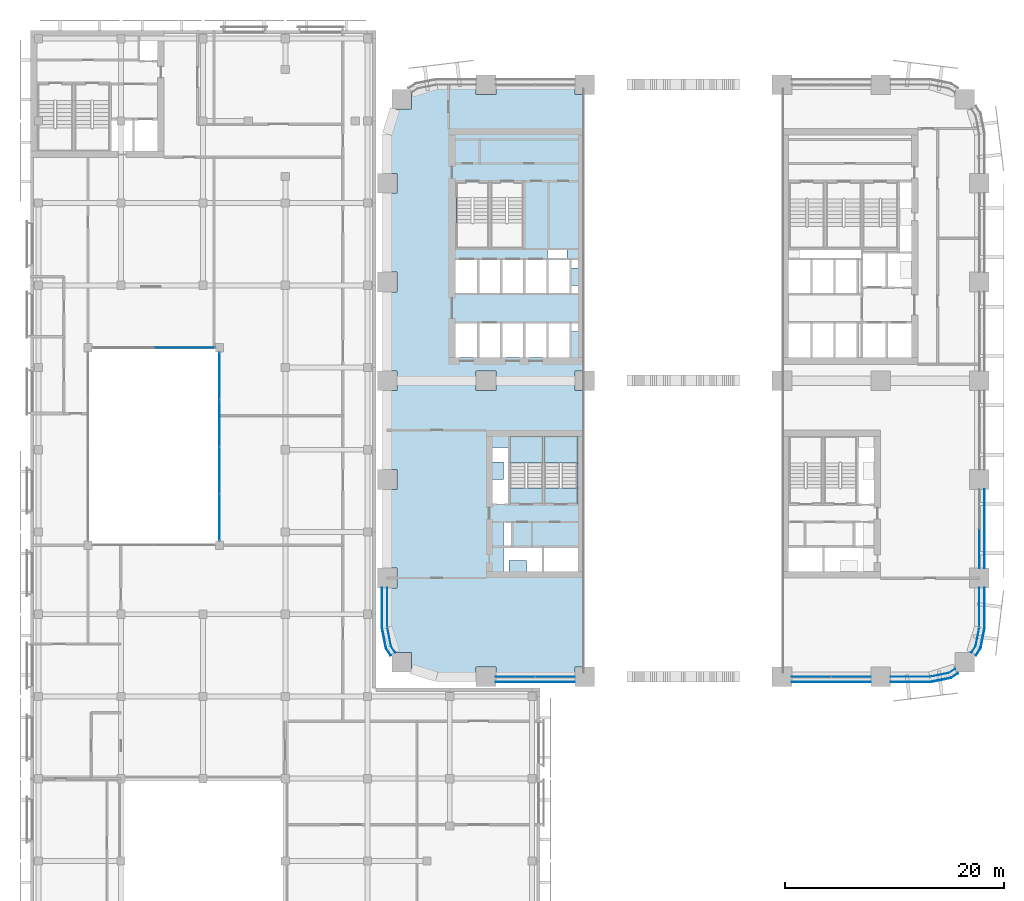
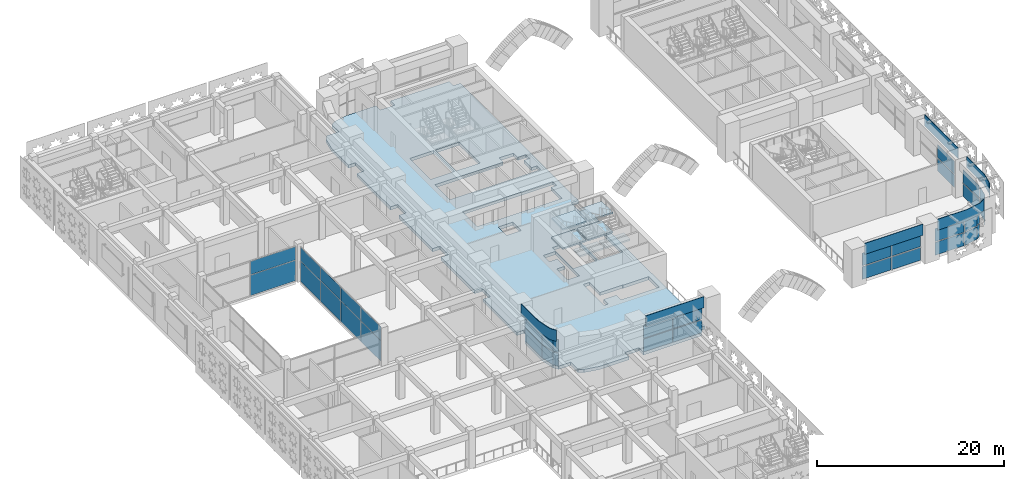
# One storey, part 11 of 40: 38 plates, 7 slabs, 10 elements without a shape of their own.
"""IFC4 building model written with IfcOpenShell, lengths in metres."""

from ifc_helpers import new_model, si_unit, direction, frame, origin, origin_2d, place, context, subcontext, project, spatial, polyline, rectangle, outline, extrude, material, layer, layer_set, type_object, element, aggregate, save


model = new_model("IFC4")

# Units and contexts
model_context = context("Model", 3, precision=1e-05, world=origin(), true_north=direction((0.0, 1.0)))
body_context = subcontext(model_context, "Body", "Model", "MODEL_VIEW")
ifc_project = project(units=[si_unit("LENGTHUNIT", "METRE"), si_unit("AREAUNIT", "SQUARE_METRE"), si_unit("VOLUMEUNIT", "CUBIC_METRE"), si_unit("PLANEANGLEUNIT", "RADIAN"), si_unit("MASSUNIT", "GRAM", prefix="KILO")], contexts=[model_context])

# Site, building, storey
site_placement = place(None, origin())
site = spatial("IfcSite", under=ifc_project, at=site_placement, CompositionType="ELEMENT")
building_placement = place(site_placement, origin())
building = spatial("IfcBuilding", under=site, at=building_placement, Name="Tessera Arch", CompositionType="ELEMENT")
storey_placement = place(building_placement, frame((0.0, 0.0, 21.0)))
storey = spatial("IfcBuildingStorey", under=building, at=storey_placement, Name="L03", CompositionType="ELEMENT", Elevation=21.0)

# Curtain wall, plates
ifc_material_1 = material(Name="CW2 curtain wall")
curtain_wall_type_1 = type_object("IfcCurtainWallType", Name="CW2 curtain wall", PredefinedType="NOTDEFINED", material=ifc_material_1)
curtain_wall_1_placement = place(storey_placement, origin())
curtain_wall_1 = element("IfcCurtainWall", 1, at=curtain_wall_1_placement, inside=storey, type_object=curtain_wall_type_1, Name="CW2 curtain wall W0.0/5 L03", PredefinedType="NOTDEFINED")
ifc_material_2 = material(Name="Clear low-e glass", Category="glass")
ifc_layer_1 = layer(ifc_material_2, 0.028076171875)
ifc_layer_set_1 = layer_set([ifc_layer_1], Name="CW2 glass panel")
plate_type_1 = type_object("IfcPlateType", Name="CW2 glass panel", PredefinedType="CURTAIN_PANEL", material=ifc_layer_set_1)
plate_1_placement = place(storey_placement, frame((0.0, 6.320068359375, 0.0), z_axis=(0.0, 0.0, 1.0), x_axis=(0.0, -1.0, 0.0)))
plate_1 = element("IfcPlate", 2, at=plate_1_placement, type_object=plate_type_1, Name="CW2 glass panel W0.0/5 1.1", PredefinedType="CURTAIN_PANEL", context=body_context, shape_type="SweptSolid", body=[
    extrude(rectangle(XDim=3.56005859375, YDim=0.028076171875, at=origin_2d()), origin(), (0.0, 0.0, 1.0), 1.675048828125),
])
plate_2_placement = place(storey_placement, origin())
plate_2 = element("IfcPlate", 3, at=plate_2_placement, type_object=plate_type_1, Name="CW2 curved glass panel W0.0/5 2.1", PredefinedType="CURTAIN_PANEL", context=body_context, shape_type="SweptSolid", body=[
    extrude(outline(polyline([(0.355712890625, 2.783447265625), (0.021484375, 4.46337890625), (-0.005859375, 4.4580078125), (0.329345703125, 2.7724609375), (0.705078125, 2.210205078125), (0.728271484375, 2.225830078125), (0.355712890625, 2.783447265625)])), origin(), (0.0, 0.0, 1.0), 1.675048828125),
])
plate_3_placement = place(storey_placement, frame((0.0, 6.320068359375, 1.77490234375), z_axis=(0.0, 0.0, 1.0), x_axis=(0.0, -1.0, 0.0)))
plate_3 = element("IfcPlate", 4, at=plate_3_placement, type_object=plate_type_1, Name="CW2 glass panel W0.0/5 1.2", PredefinedType="CURTAIN_PANEL", context=body_context, shape_type="SweptSolid", body=[
    extrude(rectangle(XDim=3.56005859375, YDim=0.028076171875, at=origin_2d()), origin(), (0.0, 0.0, 1.0), 1.675048828125),
])
plate_4_placement = place(storey_placement, frame((0.0, 0.0, 1.77490234375)))
plate_4 = element("IfcPlate", 5, at=plate_4_placement, type_object=plate_type_1, Name="CW2 curved glass panel W0.0/5 2.2", PredefinedType="CURTAIN_PANEL", context=body_context, shape_type="SweptSolid", body=[
    extrude(outline(polyline([(0.355712890625, 2.783447265625), (0.021484375, 4.46337890625), (-0.005859375, 4.4580078125), (0.329345703125, 2.7724609375), (0.705078125, 2.210205078125), (0.728271484375, 2.225830078125), (0.355712890625, 2.783447265625)])), origin(), (0.0, 0.0, 1.0), 1.675048828125),
])

curtain_wall_2_placement = place(storey_placement, origin())
curtain_wall_2 = element("IfcCurtainWall", 6, at=curtain_wall_2_placement, inside=storey, type_object=curtain_wall_type_1, Name="CW2 curtain wall S0.36/1 L03", PredefinedType="NOTDEFINED")
plate_5_placement = place(storey_placement, frame((47.679931640625, 0.0, 0.0), z_axis=(0.0, 0.0, 1.0), x_axis=(1.0, 0.0, 0.0)))
plate_5 = element("IfcPlate", 7, at=plate_5_placement, type_object=plate_type_1, Name="CW2 glass panel S0.36/1 1.1", PredefinedType="CURTAIN_PANEL", context=body_context, shape_type="SweptSolid", body=[
    extrude(rectangle(XDim=3.56005859375, YDim=0.028076171875, at=origin_2d()), origin(), (0.0, 0.0, 1.0), 1.675048828125),
])
plate_6_placement = place(storey_placement, origin())
plate_6 = element("IfcPlate", 8, at=plate_6_placement, type_object=plate_type_1, Name="CW2 curved glass panel S0.36/1 2.1", PredefinedType="CURTAIN_PANEL", context=body_context, shape_type="SweptSolid", body=[
    extrude(outline(polyline([(51.216552734375, 0.355712890625), (49.53662109375, 0.021484375), (49.5419921875, -0.005859375), (51.2275390625, 0.329345703125), (51.789794921875, 0.705078125), (51.774169921875, 0.728271484375), (51.216552734375, 0.355712890625)])), origin(), (0.0, 0.0, 1.0), 1.675048828125),
])
plate_7_placement = place(storey_placement, frame((47.679931640625, 0.0, 1.77490234375), z_axis=(0.0, 0.0, 1.0), x_axis=(1.0, 0.0, 0.0)))
plate_7 = element("IfcPlate", 9, at=plate_7_placement, type_object=plate_type_1, Name="CW2 glass panel S0.36/1 1.2", PredefinedType="CURTAIN_PANEL", context=body_context, shape_type="SweptSolid", body=[
    extrude(rectangle(XDim=3.56005859375, YDim=0.028076171875, at=origin_2d()), origin(), (0.0, 0.0, 1.0), 1.675048828125),
])
plate_8_placement = place(storey_placement, frame((0.0, 0.0, 1.77490234375)))
plate_8 = element("IfcPlate", 10, at=plate_8_placement, type_object=plate_type_1, Name="CW2 curved glass panel S0.36/1 2.2", PredefinedType="CURTAIN_PANEL", context=body_context, shape_type="SweptSolid", body=[
    extrude(outline(polyline([(51.216552734375, 0.355712890625), (49.53662109375, 0.021484375), (49.5419921875, -0.005859375), (51.2275390625, 0.329345703125), (51.789794921875, 0.705078125), (51.774169921875, 0.728271484375), (51.216552734375, 0.355712890625)])), origin(), (0.0, 0.0, 1.0), 1.675048828125),
])

curtain_wall_3_placement = place(storey_placement, origin())
curtain_wall_3 = element("IfcCurtainWall", 11, at=curtain_wall_3_placement, inside=storey, type_object=curtain_wall_type_1, Name="CW2 curtain wall E54.0/5 L03", PredefinedType="NOTDEFINED")
plate_9_placement = place(storey_placement, frame((54.0, 6.320068359375, 0.0), z_axis=(0.0, 0.0, 1.0), x_axis=(0.0, 1.0, 0.0)))
plate_9 = element("IfcPlate", 12, at=plate_9_placement, type_object=plate_type_1, Name="CW2 glass panel E54.0/5 1.1", PredefinedType="CURTAIN_PANEL", context=body_context, shape_type="SweptSolid", body=[
    extrude(rectangle(XDim=3.56005859375, YDim=0.028076171875, at=origin_2d()), origin(), (0.0, 0.0, 1.0), 1.675048828125),
])
plate_10_placement = place(storey_placement, origin())
plate_10 = element("IfcPlate", 13, at=plate_10_placement, type_object=plate_type_1, Name="CW2 curved glass panel E54.0/5 2.1", PredefinedType="CURTAIN_PANEL", context=body_context, shape_type="SweptSolid", body=[
    extrude(outline(polyline([(53.644287109375, 2.783447265625), (53.271728515625, 2.225830078125), (53.294921875, 2.210205078125), (53.670654296875, 2.7724609375), (54.005859375, 4.4580078125), (53.978515625, 4.46337890625), (53.644287109375, 2.783447265625)])), origin(), (0.0, 0.0, 1.0), 1.675048828125),
])
plate_11_placement = place(storey_placement, frame((54.0, 6.320068359375, 1.77490234375), z_axis=(0.0, 0.0, 1.0), x_axis=(0.0, 1.0, 0.0)))
plate_11 = element("IfcPlate", 14, at=plate_11_placement, type_object=plate_type_1, Name="CW2 glass panel E54.0/5 1.2", PredefinedType="CURTAIN_PANEL", context=body_context, shape_type="SweptSolid", body=[
    extrude(rectangle(XDim=3.56005859375, YDim=0.028076171875, at=origin_2d()), origin(), (0.0, 0.0, 1.0), 1.675048828125),
])
plate_12_placement = place(storey_placement, frame((0.0, 0.0, 1.77490234375)))
plate_12 = element("IfcPlate", 15, at=plate_12_placement, type_object=plate_type_1, Name="CW2 curved glass panel E54.0/5 2.2", PredefinedType="CURTAIN_PANEL", context=body_context, shape_type="SweptSolid", body=[
    extrude(outline(polyline([(53.644287109375, 2.783447265625), (53.271728515625, 2.225830078125), (53.294921875, 2.210205078125), (53.670654296875, 2.7724609375), (54.005859375, 4.4580078125), (53.978515625, 4.46337890625), (53.644287109375, 2.783447265625)])), origin(), (0.0, 0.0, 1.0), 1.675048828125),
])

# Plate
ifc_material_3 = material(Name="Pale anodised aluminium panel", Category="aluminium")
ifc_layer_2 = layer(ifc_material_3, 0.06005859375)
ifc_layer_set_2 = layer_set([ifc_layer_2], Name="CW2 spandrel panel")
plate_type_2 = type_object("IfcPlateType", Name="CW2 spandrel panel", PredefinedType="CURTAIN_PANEL", material=ifc_layer_set_2)
plate_13_placement = place(storey_placement, frame((0.0, 0.0, 3.550048828125)))
plate_13 = element("IfcPlate", 16, at=plate_13_placement, type_object=plate_type_2, Name="CW2 spandrel panel W0.0/5", PredefinedType="CURTAIN_PANEL", context=body_context, shape_type="SweptSolid", body=[
    extrude(outline(polyline([(-0.449951171875, 4.500732421875), (-0.449951171875, 8.10009765625), (-0.510009765625, 8.10009765625), (-0.510009765625, 4.499267578125), (-0.507568359375, 4.449951171875), (-0.500244140625, 4.401123046875), (-0.157470703125, 2.677734375), (-0.1455078125, 2.6298828125), (-0.128662109375, 2.582763671875), (-0.107177734375, 2.537353515625), (-0.08203125, 2.4951171875), (0.292724609375, 1.9345703125), (0.342529296875, 1.968017578125), (-0.03125, 2.52734375), (-0.05419921875, 2.565673828125), (-0.0732421875, 2.605712890625), (-0.088134765625, 2.647216796875), (-0.09912109375, 2.69091796875), (-0.441162109375, 4.411376953125), (-0.44775390625, 4.455810546875), (-0.449951171875, 4.500732421875)])), origin(), (0.0, 0.0, 1.0), 1.449951171875),
])

aggregate(curtain_wall_1, [plate_1, plate_2, plate_3, plate_4, plate_13])

plate_14_placement = place(storey_placement, frame((0.0, 0.0, 3.550048828125)))
plate_14 = element("IfcPlate", 17, at=plate_14_placement, type_object=plate_type_2, Name="CW2 spandrel panel S0.36/1", PredefinedType="CURTAIN_PANEL", context=body_context, shape_type="SweptSolid", body=[
    extrude(outline(polyline([(49.499267578125, -0.449951171875), (45.89990234375, -0.449951171875), (45.89990234375, -0.510009765625), (49.500732421875, -0.510009765625), (49.550048828125, -0.507568359375), (49.598876953125, -0.500244140625), (51.322265625, -0.157470703125), (51.3701171875, -0.1455078125), (51.417236328125, -0.128662109375), (51.462646484375, -0.107177734375), (51.5048828125, -0.08203125), (52.0654296875, 0.292724609375), (52.031982421875, 0.342529296875), (51.47265625, -0.03125), (51.434326171875, -0.05419921875), (51.394287109375, -0.0732421875), (51.352783203125, -0.088134765625), (51.30908203125, -0.09912109375), (49.588623046875, -0.441162109375), (49.544189453125, -0.44775390625), (49.499267578125, -0.449951171875)])), origin(), (0.0, 0.0, 1.0), 1.449951171875),
])

aggregate(curtain_wall_2, [plate_5, plate_6, plate_7, plate_8, plate_14])

plate_15_placement = place(storey_placement, frame((0.0, 0.0, 3.550048828125)))
plate_15 = element("IfcPlate", 18, at=plate_15_placement, type_object=plate_type_2, Name="CW2 spandrel panel E54.0/5", PredefinedType="CURTAIN_PANEL", context=body_context, shape_type="SweptSolid", body=[
    extrude(outline(polyline([(54.03125, 2.52734375), (53.657470703125, 1.968017578125), (53.707275390625, 1.9345703125), (54.08203125, 2.4951171875), (54.107177734375, 2.537353515625), (54.128662109375, 2.582763671875), (54.1455078125, 2.6298828125), (54.157470703125, 2.677734375), (54.500244140625, 4.401123046875), (54.507568359375, 4.449951171875), (54.510009765625, 4.499267578125), (54.510009765625, 8.10009765625), (54.449951171875, 8.10009765625), (54.449951171875, 4.500732421875), (54.44775390625, 4.455810546875), (54.441162109375, 4.411376953125), (54.09912109375, 2.69091796875), (54.088134765625, 2.647216796875), (54.0732421875, 2.605712890625), (54.05419921875, 2.565673828125), (54.03125, 2.52734375)])), origin(), (0.0, 0.0, 1.0), 1.449951171875),
])

aggregate(curtain_wall_3, [plate_9, plate_10, plate_11, plate_12, plate_15])

# Curtain wall, plates
ifc_material_4 = material(Name="CW6 curtain wall")
curtain_wall_type_2 = type_object("IfcCurtainWallType", Name="CW6 curtain wall", PredefinedType="NOTDEFINED", material=ifc_material_4)
curtain_wall_4_placement = place(storey_placement, origin())
curtain_wall_4 = element("IfcCurtainWall", 19, at=curtain_wall_4_placement, inside=storey, type_object=curtain_wall_type_2, Name="CW6 curtain wall S0.0/1 L03", PredefinedType="NOTDEFINED")
ifc_material_5 = material(Name="Clear low-e glass", Category="glass")
ifc_layer_3 = layer(ifc_material_5, 0.028076171875)
ifc_layer_set_3 = layer_set([ifc_layer_3], Name="CW6 glass panel")
plate_type_3 = type_object("IfcPlateType", Name="CW6 glass panel", PredefinedType="CURTAIN_PANEL", material=ifc_layer_set_3)
plate_16_placement = place(storey_placement, frame((11.6826171875, 0.0, 0.0), z_axis=(0.0, 0.0, 1.0), x_axis=(1.0, 0.0, 0.0)))
plate_16 = element("IfcPlate", 20, at=plate_16_placement, type_object=plate_type_3, Name="CW6 glass panel S0.0/1 1.1.1", PredefinedType="CURTAIN_PANEL", context=body_context, shape_type="SweptSolid", body=[
    extrude(rectangle(XDim=3.56494140625, YDim=0.028076171875, at=origin_2d()), origin(), (0.0, 0.0, 1.0), 1.655029296875),
])
plate_17_placement = place(storey_placement, frame((11.6826171875, 0.0, 1.77490234375), z_axis=(0.0, 0.0, 1.0), x_axis=(1.0, 0.0, 0.0)))
plate_17 = element("IfcPlate", 21, at=plate_17_placement, type_object=plate_type_3, Name="CW6 glass panel S0.0/1 1.1.2", PredefinedType="CURTAIN_PANEL", context=body_context, shape_type="SweptSolid", body=[
    extrude(rectangle(XDim=3.56494140625, YDim=0.028076171875, at=origin_2d()), origin(), (0.0, 0.0, 1.0), 1.655029296875),
])
plate_18_placement = place(storey_placement, frame((15.3173828125, 0.0, 0.0), z_axis=(0.0, 0.0, 1.0), x_axis=(1.0, 0.0, 0.0)))
plate_18 = element("IfcPlate", 22, at=plate_18_placement, type_object=plate_type_3, Name="CW6 glass panel S0.0/1 1.2.1", PredefinedType="CURTAIN_PANEL", context=body_context, shape_type="SweptSolid", body=[
    extrude(rectangle(XDim=3.56494140625, YDim=0.028076171875, at=origin_2d()), origin(), (0.0, 0.0, 1.0), 1.655029296875),
])
plate_19_placement = place(storey_placement, frame((15.3173828125, 0.0, 1.77490234375), z_axis=(0.0, 0.0, 1.0), x_axis=(1.0, 0.0, 0.0)))
plate_19 = element("IfcPlate", 23, at=plate_19_placement, type_object=plate_type_3, Name="CW6 glass panel S0.0/1 1.2.2", PredefinedType="CURTAIN_PANEL", context=body_context, shape_type="SweptSolid", body=[
    extrude(rectangle(XDim=3.56494140625, YDim=0.028076171875, at=origin_2d()), origin(), (0.0, 0.0, 1.0), 1.655029296875),
])

curtain_wall_5_placement = place(storey_placement, origin())
curtain_wall_5 = element("IfcCurtainWall", 24, at=curtain_wall_5_placement, inside=storey, type_object=curtain_wall_type_2, Name="CW6 curtain wall E54.0/0 L03", PredefinedType="NOTDEFINED")
plate_20_placement = place(storey_placement, frame((54.0, 11.6826171875, 0.0), z_axis=(0.0, 0.0, 1.0), x_axis=(0.0, 1.0, 0.0)))
plate_20 = element("IfcPlate", 25, at=plate_20_placement, type_object=plate_type_3, Name="CW6 glass panel E54.0/0 1.1.1", PredefinedType="CURTAIN_PANEL", context=body_context, shape_type="SweptSolid", body=[
    extrude(rectangle(XDim=3.56494140625, YDim=0.028076171875, at=origin_2d()), origin(), (0.0, 0.0, 1.0), 1.655029296875),
])
plate_21_placement = place(storey_placement, frame((54.0, 11.6826171875, 1.77490234375), z_axis=(0.0, 0.0, 1.0), x_axis=(0.0, 1.0, 0.0)))
plate_21 = element("IfcPlate", 26, at=plate_21_placement, type_object=plate_type_3, Name="CW6 glass panel E54.0/0 1.1.2", PredefinedType="CURTAIN_PANEL", context=body_context, shape_type="SweptSolid", body=[
    extrude(rectangle(XDim=3.56494140625, YDim=0.028076171875, at=origin_2d()), origin(), (0.0, 0.0, 1.0), 1.655029296875),
])

curtain_wall_6_placement = place(storey_placement, origin())
curtain_wall_6 = element("IfcCurtainWall", 27, at=curtain_wall_6_placement, inside=storey, type_object=curtain_wall_type_2, Name="CW6 curtain wall S0.36/0 L03", PredefinedType="NOTDEFINED")
plate_22_placement = place(storey_placement, frame((38.6826171875, 0.0, 0.0), z_axis=(0.0, 0.0, 1.0), x_axis=(1.0, 0.0, 0.0)))
plate_22 = element("IfcPlate", 28, at=plate_22_placement, type_object=plate_type_3, Name="CW6 glass panel S0.36/0 1.1.1", PredefinedType="CURTAIN_PANEL", context=body_context, shape_type="SweptSolid", body=[
    extrude(rectangle(XDim=3.56494140625, YDim=0.028076171875, at=origin_2d()), origin(), (0.0, 0.0, 1.0), 1.655029296875),
])
plate_23_placement = place(storey_placement, frame((38.6826171875, 0.0, 1.77490234375), z_axis=(0.0, 0.0, 1.0), x_axis=(1.0, 0.0, 0.0)))
plate_23 = element("IfcPlate", 29, at=plate_23_placement, type_object=plate_type_3, Name="CW6 glass panel S0.36/0 1.1.2", PredefinedType="CURTAIN_PANEL", context=body_context, shape_type="SweptSolid", body=[
    extrude(rectangle(XDim=3.56494140625, YDim=0.028076171875, at=origin_2d()), origin(), (0.0, 0.0, 1.0), 1.655029296875),
])
plate_24_placement = place(storey_placement, frame((42.3173828125, 0.0, 0.0), z_axis=(0.0, 0.0, 1.0), x_axis=(1.0, 0.0, 0.0)))
plate_24 = element("IfcPlate", 30, at=plate_24_placement, type_object=plate_type_3, Name="CW6 glass panel S0.36/0 1.2.1", PredefinedType="CURTAIN_PANEL", context=body_context, shape_type="SweptSolid", body=[
    extrude(rectangle(XDim=3.56494140625, YDim=0.028076171875, at=origin_2d()), origin(), (0.0, 0.0, 1.0), 1.655029296875),
])
plate_25_placement = place(storey_placement, frame((42.3173828125, 0.0, 1.77490234375), z_axis=(0.0, 0.0, 1.0), x_axis=(1.0, 0.0, 0.0)))
plate_25 = element("IfcPlate", 31, at=plate_25_placement, type_object=plate_type_3, Name="CW6 glass panel S0.36/0 1.2.2", PredefinedType="CURTAIN_PANEL", context=body_context, shape_type="SweptSolid", body=[
    extrude(rectangle(XDim=3.56494140625, YDim=0.028076171875, at=origin_2d()), origin(), (0.0, 0.0, 1.0), 1.655029296875),
])

# Plate
ifc_material_6 = material(Name="Pale anodised aluminium panel", Category="aluminium")
ifc_layer_4 = layer(ifc_material_6, 0.06005859375)
ifc_layer_set_4 = layer_set([ifc_layer_4], Name="CW6 spandrel panel")
plate_type_4 = type_object("IfcPlateType", Name="CW6 spandrel panel", PredefinedType="CURTAIN_PANEL", material=ifc_layer_set_4)
plate_26_placement = place(storey_placement, frame((13.5, -0.47998046875, 3.5498046875), z_axis=(0.0, 0.0, 1.0), x_axis=(1.0, 0.0, 0.0)))
plate_26 = element("IfcPlate", 32, at=plate_26_placement, type_object=plate_type_4, Name="CW6 spandrel panel S0.0/1", PredefinedType="CURTAIN_PANEL", context=body_context, shape_type="SweptSolid", body=[
    extrude(rectangle(XDim=7.199951171875, YDim=0.06005859375, at=origin_2d()), origin(), (0.0, 0.0, 1.0), 1.449951171875),
])

aggregate(curtain_wall_4, [plate_16, plate_17, plate_18, plate_19, plate_26])

plate_27_placement = place(storey_placement, frame((54.47998046875, 13.5, 3.5498046875), z_axis=(0.0, 0.0, 1.0), x_axis=(0.0, 1.0, 0.0)))
plate_27 = element("IfcPlate", 33, at=plate_27_placement, type_object=plate_type_4, Name="CW6 spandrel panel E54.0/0", PredefinedType="CURTAIN_PANEL", context=body_context, shape_type="SweptSolid", body=[
    extrude(rectangle(XDim=7.199951171875, YDim=0.06005859375, at=origin_2d()), origin(), (0.0, 0.0, 1.0), 1.449951171875),
])

aggregate(curtain_wall_5, [plate_20, plate_21, plate_27])

plate_28_placement = place(storey_placement, frame((40.5, -0.47998046875, 3.5498046875), z_axis=(0.0, 0.0, 1.0), x_axis=(1.0, 0.0, 0.0)))
plate_28 = element("IfcPlate", 34, at=plate_28_placement, type_object=plate_type_4, Name="CW6 spandrel panel S0.36/0", PredefinedType="CURTAIN_PANEL", context=body_context, shape_type="SweptSolid", body=[
    extrude(rectangle(XDim=7.199951171875, YDim=0.06005859375, at=origin_2d()), origin(), (0.0, 0.0, 1.0), 1.449951171875),
])

aggregate(curtain_wall_6, [plate_22, plate_23, plate_24, plate_25, plate_28])

# Curtain wall, plates
ifc_material_7 = material(Name="Aluminium and clear glass", Category="aluminium")
ifc_layer_5 = layer(ifc_material_7, 0.1201171875)
ifc_layer_set_5 = layer_set([ifc_layer_5], Name="Courtyard curtain wall")
curtain_wall_type_3 = type_object("IfcCurtainWallType", Name="Courtyard curtain wall", PredefinedType="NOTDEFINED", material=ifc_layer_set_5)
curtain_wall_7_placement = place(storey_placement, origin())
curtain_wall_7 = element("IfcCurtainWall", 35, at=curtain_wall_7_placement, inside=storey, type_object=curtain_wall_type_3, Name="Courtyard curtain wall L03 2", PredefinedType="NOTDEFINED")
ifc_material_8 = material(Name="Clear low-e laminated glass", Category="glass")
ifc_layer_6 = layer(ifc_material_8, 0.028076171875)
ifc_layer_set_6 = layer_set([ifc_layer_6], Name="Courtyard glass panel")
plate_type_5 = type_object("IfcPlateType", Name="Courtyard glass panel", PredefinedType="CURTAIN_PANEL", material=ifc_layer_set_6)
plate_29_placement = place(storey_placement, frame((-15.300048828125, 14.546142578125, 0.06005859375), z_axis=(0.0, 0.0, 1.0), x_axis=(0.0, 1.0, 0.0)))
plate_29 = element("IfcPlate", 36, at=plate_29_placement, type_object=plate_type_5, Name="MCW1 panel 1.1", PredefinedType="CURTAIN_PANEL", context=body_context, shape_type="SweptSolid", body=[
    extrude(rectangle(XDim=4.222412109375, YDim=0.028076171875, at=origin_2d()), origin(), (0.0, 0.0, 1.0), 2.6640625),
])
plate_30_placement = place(storey_placement, frame((-15.300048828125, 14.546142578125, 2.783935546875), z_axis=(0.0, 0.0, 1.0), x_axis=(0.0, 1.0, 0.0)))
plate_30 = element("IfcPlate", 37, at=plate_30_placement, type_object=plate_type_5, Name="MCW1 panel 1.2", PredefinedType="CURTAIN_PANEL", context=body_context, shape_type="SweptSolid", body=[
    extrude(rectangle(XDim=4.222412109375, YDim=0.028076171875, at=origin_2d()), origin(), (0.0, 0.0, 1.0), 1.74609375),
])
plate_31_placement = place(storey_placement, frame((-15.300048828125, 18.84375, 0.06005859375), z_axis=(0.0, 0.0, 1.0), x_axis=(0.0, 1.0, 0.0)))
plate_31 = element("IfcPlate", 38, at=plate_31_placement, type_object=plate_type_5, Name="MCW1 panel 2.1", PredefinedType="CURTAIN_PANEL", context=body_context, shape_type="SweptSolid", body=[
    extrude(rectangle(XDim=4.25244140625, YDim=0.028076171875, at=origin_2d()), origin(), (0.0, 0.0, 1.0), 2.6640625),
])
plate_32_placement = place(storey_placement, frame((-15.300048828125, 18.84375, 2.783935546875), z_axis=(0.0, 0.0, 1.0), x_axis=(0.0, 1.0, 0.0)))
plate_32 = element("IfcPlate", 39, at=plate_32_placement, type_object=plate_type_5, Name="MCW1 panel 2.2", PredefinedType="CURTAIN_PANEL", context=body_context, shape_type="SweptSolid", body=[
    extrude(rectangle(XDim=4.25244140625, YDim=0.028076171875, at=origin_2d()), origin(), (0.0, 0.0, 1.0), 1.74609375),
])
plate_33_placement = place(storey_placement, frame((-15.300048828125, 23.15625, 0.06005859375), z_axis=(0.0, 0.0, 1.0), x_axis=(0.0, 1.0, 0.0)))
plate_33 = element("IfcPlate", 40, at=plate_33_placement, type_object=plate_type_5, Name="MCW1 panel 3.1", PredefinedType="CURTAIN_PANEL", context=body_context, shape_type="SweptSolid", body=[
    extrude(rectangle(XDim=4.25244140625, YDim=0.028076171875, at=origin_2d()), origin(), (0.0, 0.0, 1.0), 2.6640625),
])
plate_34_placement = place(storey_placement, frame((-15.300048828125, 23.15625, 2.783935546875), z_axis=(0.0, 0.0, 1.0), x_axis=(0.0, 1.0, 0.0)))
plate_34 = element("IfcPlate", 41, at=plate_34_placement, type_object=plate_type_5, Name="MCW1 panel 3.2", PredefinedType="CURTAIN_PANEL", context=body_context, shape_type="SweptSolid", body=[
    extrude(rectangle(XDim=4.25244140625, YDim=0.028076171875, at=origin_2d()), origin(), (0.0, 0.0, 1.0), 1.74609375),
])
plate_35_placement = place(storey_placement, frame((-15.300048828125, 27.453857421875, 0.06005859375), z_axis=(0.0, 0.0, 1.0), x_axis=(0.0, 1.0, 0.0)))
plate_35 = element("IfcPlate", 42, at=plate_35_placement, type_object=plate_type_5, Name="MCW1 panel 4.1", PredefinedType="CURTAIN_PANEL", context=body_context, shape_type="SweptSolid", body=[
    extrude(rectangle(XDim=4.222412109375, YDim=0.028076171875, at=origin_2d()), origin(), (0.0, 0.0, 1.0), 2.6640625),
])
plate_36_placement = place(storey_placement, frame((-15.300048828125, 27.453857421875, 2.783935546875), z_axis=(0.0, 0.0, 1.0), x_axis=(0.0, 1.0, 0.0)))
plate_36 = element("IfcPlate", 43, at=plate_36_placement, type_object=plate_type_5, Name="MCW1 panel 4.2", PredefinedType="CURTAIN_PANEL", context=body_context, shape_type="SweptSolid", body=[
    extrude(rectangle(XDim=4.222412109375, YDim=0.028076171875, at=origin_2d()), origin(), (0.0, 0.0, 1.0), 1.74609375),
])
aggregate(curtain_wall_7, [plate_29, plate_30, plate_31, plate_32, plate_33, plate_34, plate_35, plate_36])

curtain_wall_8_placement = place(storey_placement, origin())
curtain_wall_8 = element("IfcCurtainWall", 44, at=curtain_wall_8_placement, inside=storey, type_object=curtain_wall_type_3, Name="Courtyard curtain wall L03 3", PredefinedType="NOTDEFINED")
plate_37_placement = place(storey_placement, frame((-18.50244140625, 30.0, 0.06005859375), z_axis=(0.0, 0.0, 1.0), x_axis=(-1.0, 0.0, 0.0)))
plate_37 = element("IfcPlate", 45, at=plate_37_placement, type_object=plate_type_5, Name="MCW1 panel 1.1", PredefinedType="CURTAIN_PANEL", context=body_context, shape_type="SweptSolid", body=[
    extrude(rectangle(XDim=5.534912109375, YDim=0.028076171875, at=origin_2d()), origin(), (0.0, 0.0, 1.0), 2.6640625),
])
plate_38_placement = place(storey_placement, frame((-18.50244140625, 30.0, 2.783935546875), z_axis=(0.0, 0.0, 1.0), x_axis=(-1.0, 0.0, 0.0)))
plate_38 = element("IfcPlate", 46, at=plate_38_placement, type_object=plate_type_5, Name="MCW1 panel 1.2", PredefinedType="CURTAIN_PANEL", context=body_context, shape_type="SweptSolid", body=[
    extrude(rectangle(XDim=5.534912109375, YDim=0.028076171875, at=origin_2d()), origin(), (0.0, 0.0, 1.0), 1.74609375),
])
aggregate(curtain_wall_8, [plate_37, plate_38])

# Slab
ifc_material_9 = material(Name="Concrete C40/50", Category="concrete")
ifc_layer_7 = layer(ifc_material_9, 0.409912109375)
ifc_layer_set_7 = layer_set([ifc_layer_7], Name="Floor slab 410 Concrete C40/50")
slab_type_1 = type_object("IfcSlabType", Name="Floor slab 410 Concrete C40/50", PredefinedType="FLOOR", material=ifc_layer_set_7)
slab_1_placement = place(storey_placement, frame((0.0, 0.0, -0.409912109375)))
element("IfcSlab", 47, at=slab_1_placement, inside=storey, type_object=slab_type_1, Name="Floor slab L03 1", PredefinedType="FLOOR", context=body_context, shape_type="SweptSolid", body=[
    extrude(outline(polyline([(2.77783203125, 0.342529296875), (2.218017578125, 0.716552734375), (2.218017578125, 2.218017578125), (0.716552734375, 2.218017578125), (0.342529296875, 2.77783203125), (0.0, 4.5), (0.0, 8.10009765625), (0.89990234375, 8.10009765625), (0.89990234375, 9.89990234375), (0.0, 9.89990234375), (0.0, 17.10009765625), (0.89990234375, 17.10009765625), (0.89990234375, 18.89990234375), (0.0, 18.89990234375), (0.0, 26.10009765625), (0.89990234375, 26.10009765625), (0.89990234375, 27.89990234375), (0.0, 27.89990234375), (0.0, 35.10009765625), (0.89990234375, 35.10009765625), (0.89990234375, 36.89990234375), (0.0, 36.89990234375), (0.0, 44.10009765625), (0.89990234375, 44.10009765625), (0.89990234375, 45.89990234375), (0.0, 45.89990234375), (0.0, 49.5), (0.342529296875, 51.22216796875), (0.716552734375, 51.781982421875), (2.218017578125, 51.781982421875), (2.218017578125, 53.283447265625), (2.77783203125, 53.657470703125), (4.5, 54.0), (8.10009765625, 54.0), (8.10009765625, 53.10009765625), (9.89990234375, 53.10009765625), (9.89990234375, 54.0), (17.10009765625, 54.0), (17.10009765625, 53.10009765625), (18.0, 53.10009765625), (18.0, 27.89990234375), (17.10009765625, 27.89990234375), (17.10009765625, 26.10009765625), (18.0, 26.10009765625), (18.0, 0.89990234375), (17.10009765625, 0.89990234375), (17.10009765625, 0.0), (9.89990234375, 0.0), (9.89990234375, 0.89990234375), (8.10009765625, 0.89990234375), (8.10009765625, 0.0), (4.5, 0.0), (2.77783203125, 0.342529296875)]), holes=[polyline([(8.10009765625, 27.89990234375), (8.10009765625, 26.10009765625), (9.89990234375, 26.10009765625), (9.89990234375, 27.89990234375), (8.10009765625, 27.89990234375)]), polyline([(6.199951171875, 32.300048828125), (6.199951171875, 29.10009765625), (8.300048828125, 29.10009765625), (10.39990234375, 29.10009765625), (12.5, 29.10009765625), (14.60009765625, 29.10009765625), (16.699951171875, 29.10009765625), (16.699951171875, 31.5), (17.39990234375, 31.5), (17.39990234375, 32.300048828125), (16.699951171875, 32.300048828125), (14.60009765625, 32.300048828125), (12.5, 32.300048828125), (10.39990234375, 32.300048828125), (8.300048828125, 32.300048828125), (6.199951171875, 32.300048828125)]), polyline([(10.39990234375, 34.89990234375), (12.5, 34.89990234375), (14.60009765625, 34.89990234375), (16.699951171875, 34.89990234375), (17.39990234375, 34.89990234375), (17.39990234375, 35.699951171875), (16.699951171875, 35.699951171875), (16.699951171875, 37.300048828125), (17.39990234375, 37.300048828125), (17.39990234375, 38.10009765625), (16.699951171875, 38.10009765625), (16.39990234375, 38.10009765625), (16.39990234375, 39.0), (14.60009765625, 39.0), (14.60009765625, 38.10009765625), (12.5, 38.10009765625), (10.39990234375, 38.10009765625), (8.300048828125, 38.10009765625), (6.199951171875, 38.10009765625), (6.199951171875, 34.89990234375), (8.300048828125, 34.89990234375), (10.39990234375, 34.89990234375)]), polyline([(7.85009765625, 43.68994140625), (7.85009765625, 43.699951171875), (7.699951171875, 43.699951171875), (7.699951171875, 43.68994140625), (6.300048828125, 43.68994140625), (6.300048828125, 39.199951171875), (9.25, 39.199951171875), (9.25, 43.68994140625), (7.85009765625, 43.68994140625)]), polyline([(12.699951171875, 10.60009765625), (12.699951171875, 9.60009765625), (14.199951171875, 9.60009765625), (17.39990234375, 9.60009765625), (17.39990234375, 11.85009765625), (14.199951171875, 11.85009765625), (14.199951171875, 11.89990234375), (11.39990234375, 11.89990234375), (11.39990234375, 14.10009765625), (10.60009765625, 14.10009765625), (10.60009765625, 11.89990234375), (10.60009765625, 9.60009765625), (11.10009765625, 9.60009765625), (11.10009765625, 10.60009765625), (12.699951171875, 10.60009765625)]), polyline([(9.60009765625, 20.89990234375), (9.60009765625, 19.60009765625), (10.60009765625, 19.60009765625), (10.60009765625, 18.0), (9.60009765625, 18.0), (9.60009765625, 15.699951171875), (11.10009765625, 15.699951171875), (11.10009765625, 20.89990234375), (9.60009765625, 20.89990234375)]), polyline([(12.60009765625, 17.2099609375), (12.60009765625, 17.199951171875), (12.75, 17.199951171875), (12.75, 17.2099609375), (14.14990234375, 17.2099609375), (14.14990234375, 21.699951171875), (11.199951171875, 21.699951171875), (11.199951171875, 17.2099609375), (12.60009765625, 17.2099609375)]), polyline([(15.75, 17.2099609375), (15.75, 17.199951171875), (15.89990234375, 17.199951171875), (15.89990234375, 17.2099609375), (17.300048828125, 17.2099609375), (17.300048828125, 21.699951171875), (14.35009765625, 21.699951171875), (14.35009765625, 17.2099609375), (15.75, 17.2099609375)]), polyline([(11.0, 43.699951171875), (10.85009765625, 43.699951171875), (10.85009765625, 43.68994140625), (9.449951171875, 43.68994140625), (9.449951171875, 39.199951171875), (12.39990234375, 39.199951171875), (12.39990234375, 43.68994140625), (11.0, 43.68994140625), (11.0, 43.699951171875)])]), origin(), (0.0, 0.0, 1.0), 0.409912109375),
])

# Stair, slabs
ifc_material_10 = material(Name="Concrete C40/50", Category="concrete")
stair_type = type_object("IfcStairType", Name="Dogleg stair 1400", PredefinedType="HALF_TURN_STAIR", material=ifc_material_10)
stair_1_placement = place(storey_placement, origin())
stair_1 = element("IfcStair", 48, at=stair_1_placement, inside=storey, type_object=stair_type, Name="L03 S4a", PredefinedType="HALF_TURN_STAIR")
ifc_material_11 = material(Name="Concrete C40/50", Category="concrete")
ifc_layer_8 = layer(ifc_material_11, 0.300048828125)
ifc_layer_set_8 = layer_set([ifc_layer_8], Name="Stair landing 300")
slab_type_2 = type_object("IfcSlabType", Name="Stair landing 300", PredefinedType="LANDING", material=ifc_layer_set_8)
slab_2_placement = place(storey_placement, frame((0.0, 0.0, 1.050048828125)))
slab_2 = element("IfcSlab", 49, at=slab_2_placement, type_object=slab_type_2, Name="S4a landing 1", PredefinedType="LANDING", context=body_context, shape_type="SweptSolid", body=[
    extrude(outline(polyline([(17.39990234375, 19.510009765625), (17.39990234375, 21.89990234375), (14.35009765625, 21.89990234375), (14.35009765625, 19.510009765625), (17.39990234375, 19.510009765625)])), origin(), (0.0, 0.0, 1.0), 0.199951171875),
])
slab_3_placement = place(storey_placement, frame((0.0, 0.0, 2.300048828125)))
slab_3 = element("IfcSlab", 50, at=slab_3_placement, type_object=slab_type_2, Name="S4a landing 2", PredefinedType="LANDING", context=body_context, shape_type="SweptSolid", body=[
    extrude(outline(polyline([(17.39990234375, 15.800048828125), (17.39990234375, 17.199951171875), (14.35009765625, 17.199951171875), (14.35009765625, 15.800048828125), (17.39990234375, 15.800048828125)])), origin(), (0.0, 0.0, 1.0), 0.199951171875),
])
slab_4_placement = place(storey_placement, frame((0.0, 0.0, 3.550048828125)))
slab_4 = element("IfcSlab", 51, at=slab_4_placement, type_object=slab_type_2, Name="S4a landing 3", PredefinedType="LANDING", context=body_context, shape_type="SweptSolid", body=[
    extrude(outline(polyline([(17.39990234375, 19.510009765625), (17.39990234375, 21.89990234375), (14.35009765625, 21.89990234375), (14.35009765625, 19.510009765625), (17.39990234375, 19.510009765625)])), origin(), (0.0, 0.0, 1.0), 0.199951171875),
])
aggregate(stair_1, [slab_2, slab_3, slab_4])

stair_2_placement = place(storey_placement, origin())
stair_2 = element("IfcStair", 52, at=stair_2_placement, inside=storey, type_object=stair_type, Name="L03 S4b", PredefinedType="HALF_TURN_STAIR")
slab_5_placement = place(storey_placement, frame((0.0, 0.0, 1.050048828125)))
slab_5 = element("IfcSlab", 53, at=slab_5_placement, type_object=slab_type_2, Name="S4b landing 1", PredefinedType="LANDING", context=body_context, shape_type="SweptSolid", body=[
    extrude(outline(polyline([(14.14990234375, 19.510009765625), (14.14990234375, 21.89990234375), (11.199951171875, 21.89990234375), (11.199951171875, 19.510009765625), (14.14990234375, 19.510009765625)])), origin(), (0.0, 0.0, 1.0), 0.199951171875),
])
slab_6_placement = place(storey_placement, frame((0.0, 0.0, 2.300048828125)))
slab_6 = element("IfcSlab", 54, at=slab_6_placement, type_object=slab_type_2, Name="S4b landing 2", PredefinedType="LANDING", context=body_context, shape_type="SweptSolid", body=[
    extrude(outline(polyline([(14.14990234375, 15.800048828125), (14.14990234375, 17.199951171875), (11.199951171875, 17.199951171875), (11.199951171875, 15.800048828125), (14.14990234375, 15.800048828125)])), origin(), (0.0, 0.0, 1.0), 0.199951171875),
])
slab_7_placement = place(storey_placement, frame((0.0, 0.0, 3.550048828125)))
slab_7 = element("IfcSlab", 55, at=slab_7_placement, type_object=slab_type_2, Name="S4b landing 3", PredefinedType="LANDING", context=body_context, shape_type="SweptSolid", body=[
    extrude(outline(polyline([(14.14990234375, 19.510009765625), (14.14990234375, 21.89990234375), (11.199951171875, 21.89990234375), (11.199951171875, 19.510009765625), (14.14990234375, 19.510009765625)])), origin(), (0.0, 0.0, 1.0), 0.199951171875),
])
aggregate(stair_2, [slab_5, slab_6, slab_7])

save(model, "model.ifc")
